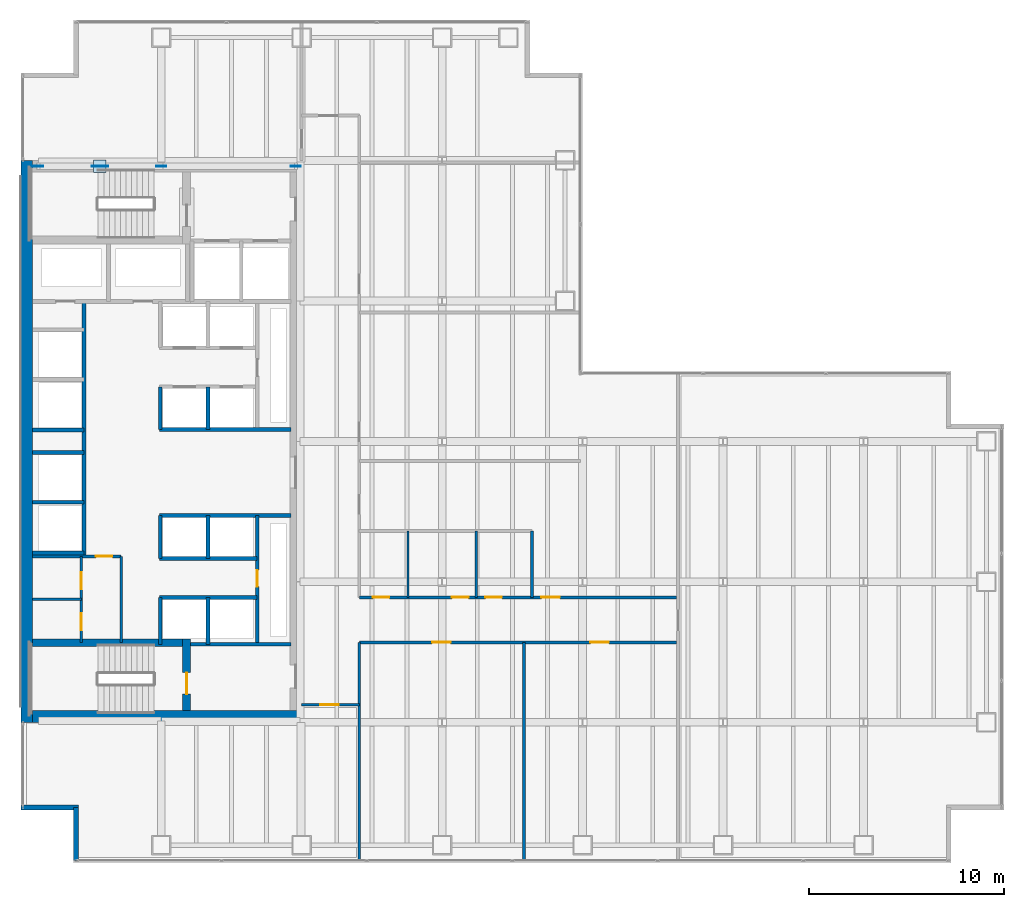
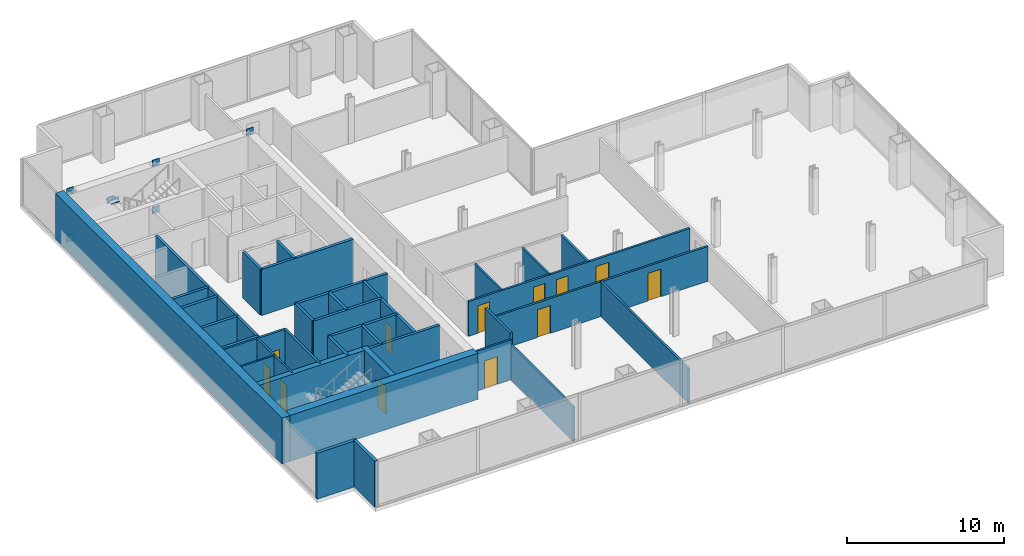
# One storey, part 20 of 25: 36 walls, 12 doors, 8 plates, 12 openings.
"""IFC4 building model written with IfcOpenShell, lengths in metres."""

from ifc_helpers import new_model, si_unit, direction, frame, frame_2d, origin, origin_2d, place, context, subcontext, project, spatial, rectangle, extrude, material, layer, layer_set, type_object, element, fill, save


model = new_model("IFC4")

# Units and contexts
model_context = context("Model", 3, precision=1e-05, world=origin(), true_north=direction((0.0, 1.0)))
body_context = subcontext(model_context, "Body", "Model", "MODEL_VIEW")
ifc_project = project(units=[si_unit("LENGTHUNIT", "METRE"), si_unit("AREAUNIT", "SQUARE_METRE"), si_unit("VOLUMEUNIT", "CUBIC_METRE"), si_unit("PLANEANGLEUNIT", "RADIAN"), si_unit("MASSUNIT", "GRAM", prefix="KILO")], contexts=[model_context])

# Site, building, storey
site_placement = place(None, origin())
site = spatial("IfcSite", under=ifc_project, at=site_placement, CompositionType="ELEMENT")
building_placement = place(site_placement, origin())
building = spatial("IfcBuilding", under=site, at=building_placement, Name="Cobrela Telecom Tower", CompositionType="ELEMENT")
storey_placement = place(building_placement, frame((0.0, 0.0, 61.949951171875)))
storey = spatial("IfcBuildingStorey", under=building, at=storey_placement, Name="L15", CompositionType="ELEMENT", Elevation=61.949951171875)

# Plates
ifc_material_1 = material(Name="Steel ASTM A572 Grade 50", Category="steel")
ifc_layer_1 = layer(ifc_material_1, 0.0419921875)
ifc_layer_set_1 = layer_set([ifc_layer_1], Name="Steel ASTM A572 Grade 50")
plate_type = type_object("IfcPlateType", Name="PLT-NODE-ND1", PredefinedType="USERDEFINED", material=ifc_layer_set_1)
for number, where, z_axis, x_axis, name in (
    (1, (0.89990234375, 35.699951171875, -0.294921875), (0.0, 0.0, 1.0), (1.0, 0.0, 0.0), "Steel node plate PLT-MBR-EXO-L15-N1-A-0"),
    (2, (7.199951171875, 35.699951171875, 3.35498046875), (0.0, 0.0, 1.0), (1.0, 0.0, 0.0), "Steel node plate PLT-MBR-EXO-L15-N1-A-1"),
    (3, (7.199951171875, 35.699951171875, -0.294921875), (0.0, 0.0, 1.0), (-1.0, 0.0, 0.0), "Steel node plate PLT-MBR-EXO-L15-N1-B1-0"),
    (4, (4.219482421875, 35.699951171875, 1.431640625), (0.0, 0.0, 1.0), (-1.0, 0.0, 0.0), "Steel node plate PLT-MBR-EXO-L15-N1-B1-1"),
    (5, (3.88037109375, 35.699951171875, 1.62841796875), (0.0, 0.0, 1.0), (-1.0, 0.0, 0.0), "Steel node plate PLT-MBR-EXO-L15-N1-B2-0"),
    (6, (0.89990234375, 35.699951171875, 3.35498046875), (0.0, 0.0, 1.0), (-1.0, 0.0, 0.0), "Steel node plate PLT-MBR-EXO-L15-N1-B2-1"),
):
    element("IfcPlate", number, at=place(storey_placement, frame(where, z_axis=z_axis, x_axis=x_axis)), inside=storey, type_object=plate_type, Name=name, ObjectType="GUSSET PLATE", PredefinedType="USERDEFINED", context=body_context, shape_type="SweptSolid", body=[
        extrude(rectangle(XDim=0.510009765625, YDim=0.044921875, at=origin_2d()), origin(), (0.0, 0.0, 1.0), 0.510009765625),
    ])
plate_1_placement = place(storey_placement, frame((4.050048828125, 35.699951171875, 1.7626953125), z_axis=(0.0, 0.0, 1.0), x_axis=(1.0, 0.0, 0.0)))
element("IfcPlate", 7, at=plate_1_placement, inside=storey, type_object=plate_type, Name="L15 Core Flange Steel X-Brace Central X-Crossing Gusset Plate", ObjectType="GUSSET PLATE", PredefinedType="USERDEFINED", context=body_context, shape_type="SweptSolid", body=[
    extrude(rectangle(XDim=0.64990234375, YDim=0.64990234375, at=origin_2d()), origin(), (0.0, 0.0, 1.0), 0.044921875),
])
plate_2_placement = place(storey_placement, frame((14.10009765625, 35.699951171875, 3.35498046875), z_axis=(0.0, 0.0, 1.0), x_axis=(1.0, 0.0, 0.0)))
element("IfcPlate", 8, at=plate_2_placement, inside=storey, type_object=plate_type, Name="Steel node plate PLT-MBR-EXO-L15-N2-1", ObjectType="GUSSET PLATE", PredefinedType="USERDEFINED", context=body_context, shape_type="SweptSolid", body=[
    extrude(rectangle(XDim=0.510009765625, YDim=0.044921875, at=origin_2d()), origin(), (0.0, 0.0, 1.0), 0.510009765625),
])

# Walls
ifc_material_2 = material(Name="Concrete C50/60", Category="concrete")
ifc_layer_2 = layer(ifc_material_2, 0.60009765625)
ifc_layer_set_2 = layer_set([ifc_layer_2], Name="Concrete C50/60")
wall_type_1 = type_object("IfcWallType", Name="WALL-CORE-C50-600", PredefinedType="SHEAR", material=ifc_layer_set_2)
wall_1_placement = place(storey_placement, frame((0.300048828125, 7.199951171875, 0.0), z_axis=(0.0, 0.0, 1.0), x_axis=(0.0, 1.0, 0.0)))
element("IfcWall", 9, at=wall_1_placement, inside=storey, type_object=wall_type_1, Name="L15 West Core Shear Wall", PredefinedType="SHEAR", context=body_context, shape_type="SweptSolid", body=[
    extrude(rectangle(XDim=28.800048828125, YDim=0.60009765625, at=frame_2d((14.39990234375, 0.0))), origin(), (0.0, 0.0, 1.0), 3.570068359375),
])
wall_2_placement = place(storey_placement, frame((0.60009765625, 7.5, 0.0), z_axis=(0.0, 0.0, 1.0), x_axis=(1.0, 0.0, 0.0)))
element("IfcWall", 10, at=wall_2_placement, inside=storey, type_object=wall_type_1, Name="L15 South Core Shear Wall", PredefinedType="SHEAR", context=body_context, shape_type="SweptSolid", body=[
    extrude(rectangle(XDim=13.7998046875, YDim=0.60009765625, at=frame_2d((6.89990234375, 0.0))), origin(), (0.0, 0.0, 1.0), 3.570068359375),
])
ifc_material_3 = material(Name="Concrete C40/50", Category="concrete")
ifc_layer_3 = layer(ifc_material_3, 0.239990234375)
ifc_layer_set_3 = layer_set([ifc_layer_3], Name="Concrete C40/50")
wall_type_2 = type_object("IfcWallType", Name="WALL-EXT-300", PredefinedType="STANDARD", material=ifc_layer_set_3)
wall_3_placement = place(storey_placement, frame((2.830078125, 0.1201171875, 0.0), z_axis=(0.0, 0.0, 1.0), x_axis=(0.0, 1.0, 0.0)))
element("IfcWall", 11, at=wall_3_placement, inside=storey, type_object=wall_type_2, Name="L15 Insulated Facade Wall 01", PredefinedType="STANDARD", context=body_context, shape_type="SweptSolid", body=[
    extrude(rectangle(XDim=2.7099609375, YDim=0.239990234375, at=frame_2d((1.35498046875, 0.0))), origin(), (0.0, 0.0, 1.0), 3.570068359375),
])
wall_4_placement = place(storey_placement, frame((2.949951171875, 2.830078125, 0.0), z_axis=(0.0, 0.0, 1.0), x_axis=(-1.0, 0.0, 0.0)))
element("IfcWall", 12, at=wall_4_placement, inside=storey, type_object=wall_type_2, Name="L15 Insulated Facade Wall 02", PredefinedType="STANDARD", context=body_context, shape_type="SweptSolid", body=[
    extrude(rectangle(XDim=2.949951171875, YDim=0.239990234375, at=frame_2d((1.47509765625, 0.0))), origin(), (0.0, 0.0, 1.0), 3.570068359375),
])
ifc_material_4 = material(Name="Fire-Rated Gypsum Plasterboard")
ifc_layer_4 = layer(ifc_material_4, 0.125)
ifc_layer_set_4 = layer_set([ifc_layer_4], Name="Fire-Rated Gypsum Plasterboard")
wall_type_3 = type_object("IfcWallType", Name="WALL-PART-125", PredefinedType="PARTITIONING", material=ifc_layer_set_4)
wall_5_placement = place(storey_placement, frame((0.60009765625, 13.5, 0.0), z_axis=(0.0, 0.0, 1.0), x_axis=(1.0, 0.0, 0.0)))
element("IfcWall", 13, at=wall_5_placement, inside=storey, type_object=wall_type_3, Name="L15 Interior Partition CW-FK3-H", PredefinedType="PARTITIONING", context=body_context, shape_type="SweptSolid", body=[
    extrude(rectangle(XDim=2.5, YDim=0.125, at=frame_2d((1.25, 0.0))), origin(), (0.0, 0.0, 1.0), 3.570068359375),
])

# Wall, openings, doors
wall_6_placement = place(storey_placement, frame((3.10009765625, 11.280029296875, 0.0), z_axis=(0.0, 0.0, 1.0), x_axis=(0.0, 1.0, 0.0)))
wall_6 = element("IfcWall", 14, at=wall_6_placement, inside=storey, type_object=wall_type_3, Name="L15 Interior Partition CW-FK3-V", PredefinedType="PARTITIONING", context=body_context, shape_type="SweptSolid", body=[
    extrude(rectangle(XDim=4.419921875, YDim=0.125, at=frame_2d((2.2099609375, 0.0))), origin(), (0.0, 0.0, 1.0), 3.570068359375),
])
opening_1_placement = place(wall_6_placement, frame((0.64990234375, 0.0, 0.0)))
opening_1 = element("IfcOpeningElement", 15, at=opening_1_placement, cuts=wall_6, Name="Opening DR-11", PredefinedType="OPENING", context=body_context, shape_type="SweptSolid", body=[
    extrude(rectangle(XDim=0.85009765625, YDim=2.14990234375, at=frame_2d((0.425048828125, 1.074951171875))), frame((0.0, 0.074462890625, 0.0), z_axis=(0.0, -1.0, 0.0), x_axis=(1.0, 0.0, 0.0)), (0.0, 0.0, 1.0), 0.14892578125),
])
opening_2_placement = place(wall_6_placement, frame((2.75, 0.0, 0.0)))
opening_2 = element("IfcOpeningElement", 16, at=opening_2_placement, cuts=wall_6, Name="Opening DR-11", PredefinedType="OPENING", context=body_context, shape_type="SweptSolid", body=[
    extrude(rectangle(XDim=0.85009765625, YDim=2.14990234375, at=frame_2d((0.425048828125, 1.074951171875))), frame((0.0, 0.074462890625, 0.0), z_axis=(0.0, -1.0, 0.0), x_axis=(1.0, 0.0, 0.0)), (0.0, 0.0, 1.0), 0.14892578125),
])
ifc_material_5 = material(Name="Solid Engineered Oak Timber", Category="wood")
door_type_1 = type_object("IfcDoorType", Name="DOOR-INT-850", OperationType="SINGLE_SWING_LEFT", PredefinedType="DOOR", material=ifc_material_5)
door_1_placement = place(opening_1_placement, origin())
door_1 = element("IfcDoor", 17, at=door_1_placement, inside=storey, type_object=door_type_1, Name="L15 Door DR-11", OperationType="SINGLE_SWING_LEFT", OverallHeight=2.14990234375, OverallWidth=0.85009765625, PredefinedType="DOOR", context=body_context, shape_type="SweptSolid", body=[
    extrude(rectangle(XDim=0.85009765625, YDim=2.14990234375, at=frame_2d((0.425048828125, 1.074951171875))), frame((0.0, 0.02490234375, 0.0), z_axis=(0.0, -1.0, 0.0), x_axis=(1.0, 0.0, 0.0)), (0.0, 0.0, 1.0), 0.050048828125),
])
fill(opening_1, door_1)
door_2_placement = place(opening_2_placement, origin())
door_2 = element("IfcDoor", 18, at=door_2_placement, inside=storey, type_object=door_type_1, Name="L15 Door DR-11", OperationType="SINGLE_SWING_RIGHT", OverallHeight=2.14990234375, OverallWidth=0.85009765625, PredefinedType="DOOR", context=body_context, shape_type="SweptSolid", body=[
    extrude(rectangle(XDim=0.85009765625, YDim=2.14990234375, at=frame_2d((0.425048828125, 1.074951171875))), frame((0.0, 0.02490234375, 0.0), z_axis=(0.0, -1.0, 0.0), x_axis=(1.0, 0.0, 0.0)), (0.0, 0.0, 1.0), 0.050048828125),
])
fill(opening_2, door_2)

# Walls
for number, where, z_axis, x_axis, name in (
    (19, (19.85009765625, 13.60009765625, 0.0), (0.0, 0.0, 1.0), (0.0, 1.0, 0.0), "L15 Interior Partition W-WCV-1"),
    (20, (23.35009765625, 13.60009765625, 0.0), (0.0, 0.0, 1.0), (0.0, 1.0, 0.0), "L15 Interior Partition W-WCV-2"),
):
    element("IfcWall", number, at=place(storey_placement, frame(where, z_axis=z_axis, x_axis=x_axis)), inside=storey, type_object=wall_type_3, Name=name, PredefinedType="PARTITIONING", context=body_context, shape_type="SweptSolid", body=[
        extrude(rectangle(XDim=3.39990234375, YDim=0.125, at=frame_2d((1.699951171875, 0.0))), origin(), (0.0, 0.0, 1.0), 2.698974609375),
    ])

# Wall, opening, door
ifc_layer_5 = layer(ifc_material_4, 0.14990234375)
ifc_layer_set_5 = layer_set([ifc_layer_5], Name="Fire-Rated Gypsum Plasterboard")
wall_type_4 = type_object("IfcWallType", Name="WALL-PART-150", PredefinedType="PARTITIONING", material=ifc_layer_set_5)
wall_7_placement = place(storey_placement, frame((0.60009765625, 15.699951171875, 0.0), z_axis=(0.0, 0.0, 1.0), x_axis=(1.0, 0.0, 0.0)))
wall_7 = element("IfcWall", 21, at=wall_7_placement, inside=storey, type_object=wall_type_4, Name="L15 Interior Partition CW-FLEX-N", PredefinedType="PARTITIONING", context=body_context, shape_type="SweptSolid", body=[
    extrude(rectangle(XDim=4.5498046875, YDim=0.14990234375, at=frame_2d((2.27490234375, 0.0))), origin(), (0.0, 0.0, 1.0), 3.570068359375),
])
opening_3_placement = place(wall_7_placement, frame((3.25, 0.0, 0.0)))
opening_3 = element("IfcOpeningElement", 22, at=opening_3_placement, cuts=wall_7, Name="Opening DR-11", PredefinedType="OPENING", context=body_context, shape_type="SweptSolid", body=[
    extrude(rectangle(XDim=0.85009765625, YDim=2.14990234375, at=frame_2d((0.425048828125, 1.074951171875))), frame((0.0, 0.0869140625, 0.0), z_axis=(0.0, -1.0, 0.0), x_axis=(1.0, 0.0, 0.0)), (0.0, 0.0, 1.0), 0.173828125),
])
door_3_placement = place(opening_3_placement, origin())
door_3 = element("IfcDoor", 23, at=door_3_placement, inside=storey, type_object=door_type_1, Name="L15 Door DR-11", OperationType="SINGLE_SWING_LEFT", OverallHeight=2.14990234375, OverallWidth=0.85009765625, PredefinedType="DOOR", context=body_context, shape_type="SweptSolid", body=[
    extrude(rectangle(XDim=0.85009765625, YDim=2.14990234375, at=frame_2d((0.425048828125, 1.074951171875))), frame((0.0, 0.02490234375, 0.0), z_axis=(0.0, -1.0, 0.0), x_axis=(1.0, 0.0, 0.0)), (0.0, 0.0, 1.0), 0.050048828125),
])
fill(opening_3, door_3)

# Wall
wall_8_placement = place(storey_placement, frame((5.14990234375, 11.280029296875, 0.0), z_axis=(0.0, 0.0, 1.0), x_axis=(0.0, 1.0, 0.0)))
element("IfcWall", 24, at=wall_8_placement, inside=storey, type_object=wall_type_4, Name="L15 Interior Partition CW-FLEX-E", PredefinedType="PARTITIONING", context=body_context, shape_type="SweptSolid", body=[
    extrude(rectangle(XDim=4.419921875, YDim=0.14990234375, at=frame_2d((2.2099609375, 0.0))), origin(), (0.0, 0.0, 1.0), 3.570068359375),
])

# Wall, opening, door
wall_9_placement = place(storey_placement, frame((14.39990234375, 8.10009765625, 0.0), z_axis=(0.0, 0.0, 1.0), x_axis=(1.0, 0.0, 0.0)))
wall_9 = element("IfcWall", 25, at=wall_9_placement, inside=storey, type_object=wall_type_4, Name="L15 Interior Partition W-C-S0", PredefinedType="PARTITIONING", context=body_context, shape_type="SweptSolid", body=[
    extrude(rectangle(XDim=2.9501953125, YDim=0.14990234375, at=frame_2d((1.47509765625, 0.0))), origin(), (0.0, 0.0, 1.0), 3.088134765625),
])
opening_4_placement = place(wall_9_placement, frame((0.949951171875, 0.0, 0.0)))
opening_4 = element("IfcOpeningElement", 26, at=opening_4_placement, cuts=wall_9, Name="Opening DR-67", PredefinedType="OPENING", context=body_context, shape_type="SweptSolid", body=[
    extrude(rectangle(XDim=0.949951171875, YDim=2.14990234375, at=frame_2d((0.47509765625, 1.074951171875))), frame((0.0, 0.0869140625, 0.0), z_axis=(0.0, -1.0, 0.0), x_axis=(1.0, 0.0, 0.0)), (0.0, 0.0, 1.0), 0.173828125),
])
door_type_2 = type_object("IfcDoorType", Name="DOOR-INT-950", OperationType="SINGLE_SWING_LEFT", PredefinedType="DOOR", material=ifc_material_5)
door_4_placement = place(opening_4_placement, origin())
door_4 = element("IfcDoor", 27, at=door_4_placement, inside=storey, type_object=door_type_2, Name="L15 Door DR-67", OperationType="SINGLE_SWING_RIGHT", OverallHeight=2.14990234375, OverallWidth=0.949951171875, PredefinedType="DOOR", context=body_context, shape_type="SweptSolid", body=[
    extrude(rectangle(XDim=0.949951171875, YDim=2.14990234375, at=frame_2d((0.47509765625, 1.074951171875))), frame((0.0, 0.02490234375, 0.0), z_axis=(0.0, -1.0, 0.0), x_axis=(1.0, 0.0, 0.0)), (0.0, 0.0, 1.0), 0.050048828125),
])
fill(opening_4, door_4)

# Wall
wall_10_placement = place(storey_placement, frame((17.35009765625, 8.10009765625, 0.0), z_axis=(0.0, 0.0, 1.0), x_axis=(0.0, 1.0, 0.0)))
element("IfcWall", 28, at=wall_10_placement, inside=storey, type_object=wall_type_4, Name="L15 Interior Partition W-C-E1", PredefinedType="PARTITIONING", context=body_context, shape_type="SweptSolid", body=[
    extrude(rectangle(XDim=3.199951171875, YDim=0.14990234375, at=frame_2d((1.60009765625, 0.0))), origin(), (0.0, 0.0, 1.0), 3.570068359375),
])

# Wall, openings, doors
wall_11_placement = place(storey_placement, frame((17.35009765625, 11.300048828125, 0.0), z_axis=(0.0, 0.0, 1.0), x_axis=(1.0, 0.0, 0.0)))
wall_11 = element("IfcWall", 29, at=wall_11_placement, inside=storey, type_object=wall_type_4, Name="L15 Interior Partition W-C-HS", PredefinedType="PARTITIONING", context=body_context, shape_type="SweptSolid", body=[
    extrude(rectangle(XDim=16.25, YDim=0.14990234375, at=frame_2d((8.125, 0.0))), origin(), (0.0, 0.0, 1.0), 2.698974609375),
])
opening_5_placement = place(wall_11_placement, frame((3.72998046875, 0.0, 0.0)))
opening_5 = element("IfcOpeningElement", 30, at=opening_5_placement, cuts=wall_11, Name="Opening DR-67", PredefinedType="OPENING", context=body_context, shape_type="SweptSolid", body=[
    extrude(rectangle(XDim=0.949951171875, YDim=2.14990234375, at=frame_2d((0.47509765625, 1.074951171875))), frame((0.0, 0.0869140625, 0.0), z_axis=(0.0, -1.0, 0.0), x_axis=(1.0, 0.0, 0.0)), (0.0, 0.0, 1.0), 0.173828125),
])
opening_6_placement = place(wall_11_placement, frame((11.85009765625, 0.0, 0.0)))
opening_6 = element("IfcOpeningElement", 31, at=opening_6_placement, cuts=wall_11, Name="Opening DR-67", PredefinedType="OPENING", context=body_context, shape_type="SweptSolid", body=[
    extrude(rectangle(XDim=0.949951171875, YDim=2.14990234375, at=frame_2d((0.47509765625, 1.074951171875))), frame((0.0, 0.0869140625, 0.0), z_axis=(0.0, -1.0, 0.0), x_axis=(1.0, 0.0, 0.0)), (0.0, 0.0, 1.0), 0.173828125),
])
door_5_placement = place(opening_5_placement, origin())
door_5 = element("IfcDoor", 32, at=door_5_placement, inside=storey, type_object=door_type_2, Name="L15 Door DR-67", OperationType="SINGLE_SWING_LEFT", OverallHeight=2.14990234375, OverallWidth=0.949951171875, PredefinedType="DOOR", context=body_context, shape_type="SweptSolid", body=[
    extrude(rectangle(XDim=0.949951171875, YDim=2.14990234375, at=frame_2d((0.47509765625, 1.074951171875))), frame((0.0, 0.02490234375, 0.0), z_axis=(0.0, -1.0, 0.0), x_axis=(1.0, 0.0, 0.0)), (0.0, 0.0, 1.0), 0.050048828125),
])
fill(opening_5, door_5)
door_6_placement = place(opening_6_placement, origin())
door_6 = element("IfcDoor", 33, at=door_6_placement, inside=storey, type_object=door_type_2, Name="L15 Door DR-67", OperationType="SINGLE_SWING_RIGHT", OverallHeight=2.14990234375, OverallWidth=0.949951171875, PredefinedType="DOOR", context=body_context, shape_type="SweptSolid", body=[
    extrude(rectangle(XDim=0.949951171875, YDim=2.14990234375, at=frame_2d((0.47509765625, 1.074951171875))), frame((0.0, 0.02490234375, 0.0), z_axis=(0.0, -1.0, 0.0), x_axis=(1.0, 0.0, 0.0)), (0.0, 0.0, 1.0), 0.050048828125),
])
fill(opening_6, door_6)

wall_12_placement = place(storey_placement, frame((17.35009765625, 13.60009765625, 0.0), z_axis=(0.0, 0.0, 1.0), x_axis=(1.0, 0.0, 0.0)))
wall_12 = element("IfcWall", 34, at=wall_12_placement, inside=storey, type_object=wall_type_4, Name="L15 Interior Partition W-C-HN", PredefinedType="PARTITIONING", context=body_context, shape_type="SweptSolid", body=[
    extrude(rectangle(XDim=16.25, YDim=0.14990234375, at=frame_2d((8.125, 0.0))), origin(), (0.0, 0.0, 1.0), 2.698974609375),
])
opening_7_placement = place(wall_12_placement, frame((0.699951171875, 0.0, 0.0)))
opening_7 = element("IfcOpeningElement", 35, at=opening_7_placement, cuts=wall_12, Name="Opening DR-11", PredefinedType="OPENING", context=body_context, shape_type="SweptSolid", body=[
    extrude(rectangle(XDim=0.85009765625, YDim=2.14990234375, at=frame_2d((0.425048828125, 1.074951171875))), frame((0.0, 0.0869140625, 0.0), z_axis=(0.0, -1.0, 0.0), x_axis=(1.0, 0.0, 0.0)), (0.0, 0.0, 1.0), 0.173828125),
])
opening_8_placement = place(wall_12_placement, frame((4.75, 0.0, 0.0)))
opening_8 = element("IfcOpeningElement", 36, at=opening_8_placement, cuts=wall_12, Name="Opening DR-11", PredefinedType="OPENING", context=body_context, shape_type="SweptSolid", body=[
    extrude(rectangle(XDim=0.85009765625, YDim=2.14990234375, at=frame_2d((0.425048828125, 1.074951171875))), frame((0.0, 0.0869140625, 0.0), z_axis=(0.0, -1.0, 0.0), x_axis=(1.0, 0.0, 0.0)), (0.0, 0.0, 1.0), 0.173828125),
])
opening_9_placement = place(wall_12_placement, frame((6.4599609375, 0.0, 0.0)))
opening_9 = element("IfcOpeningElement", 37, at=opening_9_placement, cuts=wall_12, Name="Opening DR-11", PredefinedType="OPENING", context=body_context, shape_type="SweptSolid", body=[
    extrude(rectangle(XDim=0.85009765625, YDim=2.14990234375, at=frame_2d((0.425048828125, 1.074951171875))), frame((0.0, 0.0869140625, 0.0), z_axis=(0.0, -1.0, 0.0), x_axis=(1.0, 0.0, 0.0)), (0.0, 0.0, 1.0), 0.173828125),
])
opening_10_placement = place(wall_12_placement, frame((9.340087890625, 0.0, 0.0)))
opening_10 = element("IfcOpeningElement", 38, at=opening_10_placement, cuts=wall_12, Name="Opening DR-67", PredefinedType="OPENING", context=body_context, shape_type="SweptSolid", body=[
    extrude(rectangle(XDim=0.949951171875, YDim=2.14990234375, at=frame_2d((0.47509765625, 1.074951171875))), frame((0.0, 0.0869140625, 0.0), z_axis=(0.0, -1.0, 0.0), x_axis=(1.0, 0.0, 0.0)), (0.0, 0.0, 1.0), 0.173828125),
])
door_7_placement = place(opening_7_placement, origin())
door_7 = element("IfcDoor", 39, at=door_7_placement, inside=storey, type_object=door_type_1, Name="L15 Door DR-11", OperationType="SINGLE_SWING_LEFT", OverallHeight=2.14990234375, OverallWidth=0.85009765625, PredefinedType="DOOR", context=body_context, shape_type="SweptSolid", body=[
    extrude(rectangle(XDim=0.85009765625, YDim=2.14990234375, at=frame_2d((0.425048828125, 1.074951171875))), frame((0.0, 0.02490234375, 0.0), z_axis=(0.0, -1.0, 0.0), x_axis=(1.0, 0.0, 0.0)), (0.0, 0.0, 1.0), 0.050048828125),
])
fill(opening_7, door_7)
door_8_placement = place(opening_8_placement, origin())
door_8 = element("IfcDoor", 40, at=door_8_placement, inside=storey, type_object=door_type_1, Name="L15 Door DR-11", OperationType="SINGLE_SWING_RIGHT", OverallHeight=2.14990234375, OverallWidth=0.85009765625, PredefinedType="DOOR", context=body_context, shape_type="SweptSolid", body=[
    extrude(rectangle(XDim=0.85009765625, YDim=2.14990234375, at=frame_2d((0.425048828125, 1.074951171875))), frame((0.0, 0.02490234375, 0.0), z_axis=(0.0, -1.0, 0.0), x_axis=(1.0, 0.0, 0.0)), (0.0, 0.0, 1.0), 0.050048828125),
])
fill(opening_8, door_8)
door_9_placement = place(opening_9_placement, origin())
door_9 = element("IfcDoor", 41, at=door_9_placement, inside=storey, type_object=door_type_1, Name="L15 Door DR-11", OperationType="SINGLE_SWING_LEFT", OverallHeight=2.14990234375, OverallWidth=0.85009765625, PredefinedType="DOOR", context=body_context, shape_type="SweptSolid", body=[
    extrude(rectangle(XDim=0.85009765625, YDim=2.14990234375, at=frame_2d((0.425048828125, 1.074951171875))), frame((0.0, 0.02490234375, 0.0), z_axis=(0.0, -1.0, 0.0), x_axis=(1.0, 0.0, 0.0)), (0.0, 0.0, 1.0), 0.050048828125),
])
fill(opening_9, door_9)
door_10_placement = place(opening_10_placement, origin())
door_10 = element("IfcDoor", 42, at=door_10_placement, inside=storey, type_object=door_type_2, Name="L15 Door DR-67", OperationType="SINGLE_SWING_RIGHT", OverallHeight=2.14990234375, OverallWidth=0.949951171875, PredefinedType="DOOR", context=body_context, shape_type="SweptSolid", body=[
    extrude(rectangle(XDim=0.949951171875, YDim=2.14990234375, at=frame_2d((0.47509765625, 1.074951171875))), frame((0.0, 0.02490234375, 0.0), z_axis=(0.0, -1.0, 0.0), x_axis=(1.0, 0.0, 0.0)), (0.0, 0.0, 1.0), 0.050048828125),
])
fill(opening_10, door_10)

# Walls
wall_13_placement = place(storey_placement, frame((26.199951171875, 13.60009765625, 0.0), z_axis=(0.0, 0.0, 1.0), x_axis=(0.0, 1.0, 0.0)))
element("IfcWall", 43, at=wall_13_placement, inside=storey, type_object=wall_type_4, Name="L15 Interior Partition W-WC-R", PredefinedType="PARTITIONING", context=body_context, shape_type="SweptSolid", body=[
    extrude(rectangle(XDim=3.39990234375, YDim=0.14990234375, at=frame_2d((1.699951171875, 0.0))), origin(), (0.0, 0.0, 1.0), 2.698974609375),
])
wall_14_placement = place(storey_placement, frame((17.35009765625, 0.1201171875, 0.0), z_axis=(0.0, 0.0, 1.0), x_axis=(0.0, 1.0, 0.0)))
element("IfcWall", 44, at=wall_14_placement, inside=storey, type_object=wall_type_4, Name="L15 Interior Partition W-SW-E", PredefinedType="PARTITIONING", context=body_context, shape_type="SweptSolid", body=[
    extrude(rectangle(XDim=7.97998046875, YDim=0.14990234375, at=frame_2d((3.989990234375, 0.0))), origin(), (0.0, 0.0, 1.0), 2.698974609375),
])
wall_15_placement = place(storey_placement, frame((25.800048828125, 0.1201171875, 0.0), z_axis=(0.0, 0.0, 1.0), x_axis=(0.0, 1.0, 0.0)))
element("IfcWall", 45, at=wall_15_placement, inside=storey, type_object=wall_type_4, Name="L15 Interior Partition W-SV-1", PredefinedType="PARTITIONING", context=body_context, shape_type="SweptSolid", body=[
    extrude(rectangle(XDim=11.179931640625, YDim=0.14990234375, at=frame_2d((5.58984375, 0.0))), origin(), (0.0, 0.0, 1.0), 2.698974609375),
])
ifc_layer_6 = layer(ifc_material_4, 0.199951171875)
ifc_layer_set_6 = layer_set([ifc_layer_6], Name="Fire-Rated Gypsum Plasterboard")
wall_type_5 = type_object("IfcWallType", Name="WALL-SHAFT-200", PredefinedType="PARTITIONING", material=ifc_layer_set_6)
wall_16_placement = place(storey_placement, frame((8.699951171875, 11.199951171875, 0.0), z_axis=(0.0, 0.0, 1.0), x_axis=(1.0, 0.0, 0.0)))
element("IfcWall", 46, at=wall_16_placement, inside=storey, type_object=wall_type_5, Name="L15 Shaft Enclosure CW-ST2L-N", PredefinedType="PARTITIONING", context=body_context, shape_type="SweptSolid", body=[
    extrude(rectangle(XDim=5.150146484375, YDim=0.199951171875, at=frame_2d((2.5751953125, 0.0))), origin(), (0.0, 0.0, 1.0), 3.570068359375),
])
wall_17_placement = place(storey_placement, frame((3.25, 15.699951171875, 0.0), z_axis=(0.0, 0.0, 1.0), x_axis=(0.0, 1.0, 0.0)))
element("IfcWall", 47, at=wall_17_placement, inside=storey, type_object=wall_type_5, Name="L15 Shaft Enclosure CW-PLH-E", PredefinedType="PARTITIONING", context=body_context, shape_type="SweptSolid", body=[
    extrude(rectangle(XDim=13.080078125, YDim=0.199951171875, at=frame_2d((6.5400390625, 0.0))), origin(), (0.0, 0.0, 1.0), 3.570068359375),
])
for number, where, z_axis, x_axis, name in (
    (48, (0.60009765625, 15.8798828125, 0.0), (0.0, 0.0, 1.0), (1.0, 0.0, 0.0), "L15 Shaft Enclosure CW-PLH-D9"),
    (49, (0.60009765625, 18.47998046875, 0.0), (0.0, 0.0, 1.0), (1.0, 0.0, 0.0), "L15 Shaft Enclosure CW-PLH-D10"),
    (50, (0.60009765625, 22.179931640625, 0.0), (0.0, 0.0, 1.0), (1.0, 0.0, 0.0), "L15 Shaft Enclosure CW-PLH-D11"),
    (51, (0.60009765625, 21.02001953125, 0.0), (0.0, 0.0, 1.0), (1.0, 0.0, 0.0), "L15 Shaft Enclosure CW-PLH-MID"),
):
    element("IfcWall", number, at=place(storey_placement, frame(where, z_axis=z_axis, x_axis=x_axis)), inside=storey, type_object=wall_type_5, Name=name, PredefinedType="PARTITIONING", context=body_context, shape_type="SweptSolid", body=[
        extrude(rectangle(XDim=2.64990234375, YDim=0.199951171875, at=frame_2d((1.324951171875, 0.0))), origin(), (0.0, 0.0, 1.0), 3.570068359375),
    ])
wall_18_placement = place(storey_placement, frame((7.10009765625, 22.199951171875, 0.0), z_axis=(0.0, 0.0, 1.0), x_axis=(1.0, 0.0, 0.0)))
element("IfcWall", 52, at=wall_18_placement, inside=storey, type_object=wall_type_5, Name="L15 Shaft Enclosure CW-PLL-B0", PredefinedType="PARTITIONING", context=body_context, shape_type="SweptSolid", body=[
    extrude(rectangle(XDim=6.75, YDim=0.199951171875, at=frame_2d((3.375, 0.0))), origin(), (0.0, 0.0, 1.0), 3.570068359375),
])
for number, where, z_axis, x_axis, name in (
    (53, (7.14990234375, 22.199951171875, 0.0), (0.0, 0.0, 1.0), (0.0, 1.0, 0.0), "L15 Shaft Enclosure CW-PLL-V1"),
    (54, (9.60009765625, 22.199951171875, 0.0), (0.0, 0.0, 1.0), (0.0, 1.0, 0.0), "L15 Shaft Enclosure CW-PLL-V2"),
):
    element("IfcWall", number, at=place(storey_placement, frame(where, z_axis=z_axis, x_axis=x_axis)), inside=storey, type_object=wall_type_5, Name=name, PredefinedType="PARTITIONING", context=body_context, shape_type="SweptSolid", body=[
        extrude(rectangle(XDim=2.199951171875, YDim=0.199951171875, at=frame_2d((1.10009765625, 0.0))), origin(), (0.0, 0.0, 1.0), 3.570068359375),
    ])
wall_19_placement = place(storey_placement, frame((7.10009765625, 17.800048828125, 0.0), z_axis=(0.0, 0.0, 1.0), x_axis=(1.0, 0.0, 0.0)))
element("IfcWall", 55, at=wall_19_placement, inside=storey, type_object=wall_type_5, Name="L15 Shaft Enclosure CW-PLM-T0", PredefinedType="PARTITIONING", context=body_context, shape_type="SweptSolid", body=[
    extrude(rectangle(XDim=6.75, YDim=0.199951171875, at=frame_2d((3.375, 0.0))), origin(), (0.0, 0.0, 1.0), 3.570068359375),
])
for number, where, z_axis, x_axis, name in (
    (56, (7.10009765625, 15.60009765625, 0.0), (0.0, 0.0, 1.0), (1.0, 0.0, 0.0), "L15 Shaft Enclosure CW-PLM-N"),
    (57, (7.10009765625, 13.60009765625, 0.0), (0.0, 0.0, 1.0), (1.0, 0.0, 0.0), "L15 Shaft Enclosure CW-PLM-S"),
):
    element("IfcWall", number, at=place(storey_placement, frame(where, z_axis=z_axis, x_axis=x_axis)), inside=storey, type_object=wall_type_5, Name=name, PredefinedType="PARTITIONING", context=body_context, shape_type="SweptSolid", body=[
        extrude(rectangle(XDim=5.02001953125, YDim=0.199951171875, at=frame_2d((2.510009765625, 0.0))), origin(), (0.0, 0.0, 1.0), 3.570068359375),
    ])
wall_20_placement = place(storey_placement, frame((7.14990234375, 15.60009765625, 0.0), z_axis=(0.0, 0.0, 1.0), x_axis=(0.0, 1.0, 0.0)))
element("IfcWall", 58, at=wall_20_placement, inside=storey, type_object=wall_type_5, Name="L15 Shaft Enclosure CW-PLM-V1", PredefinedType="PARTITIONING", context=body_context, shape_type="SweptSolid", body=[
    extrude(rectangle(XDim=2.199951171875, YDim=0.199951171875, at=frame_2d((1.10009765625, 0.0))), origin(), (0.0, 0.0, 1.0), 3.570068359375),
])
wall_21_placement = place(storey_placement, frame((7.14990234375, 11.199951171875, 0.0), z_axis=(0.0, 0.0, 1.0), x_axis=(0.0, 1.0, 0.0)))
element("IfcWall", 59, at=wall_21_placement, inside=storey, type_object=wall_type_5, Name="L15 Shaft Enclosure CW-PLM-V1B", PredefinedType="PARTITIONING", context=body_context, shape_type="SweptSolid", body=[
    extrude(rectangle(XDim=2.400146484375, YDim=0.199951171875, at=frame_2d((1.2001953125, 0.0))), origin(), (0.0, 0.0, 1.0), 3.570068359375),
])
wall_22_placement = place(storey_placement, frame((9.60009765625, 15.60009765625, 0.0), z_axis=(0.0, 0.0, 1.0), x_axis=(0.0, 1.0, 0.0)))
element("IfcWall", 60, at=wall_22_placement, inside=storey, type_object=wall_type_5, Name="L15 Shaft Enclosure CW-PLM-V2", PredefinedType="PARTITIONING", context=body_context, shape_type="SweptSolid", body=[
    extrude(rectangle(XDim=2.199951171875, YDim=0.199951171875, at=frame_2d((1.10009765625, 0.0))), origin(), (0.0, 0.0, 1.0), 3.570068359375),
])
wall_23_placement = place(storey_placement, frame((9.60009765625, 11.199951171875, 0.0), z_axis=(0.0, 0.0, 1.0), x_axis=(0.0, 1.0, 0.0)))
element("IfcWall", 61, at=wall_23_placement, inside=storey, type_object=wall_type_5, Name="L15 Shaft Enclosure CW-PLM-V2B", PredefinedType="PARTITIONING", context=body_context, shape_type="SweptSolid", body=[
    extrude(rectangle(XDim=2.400146484375, YDim=0.199951171875, at=frame_2d((1.2001953125, 0.0))), origin(), (0.0, 0.0, 1.0), 3.570068359375),
])

# Wall, opening, door
wall_24_placement = place(storey_placement, frame((12.1201171875, 11.199951171875, 0.0), z_axis=(0.0, 0.0, 1.0), x_axis=(0.0, 1.0, 0.0)))
wall_24 = element("IfcWall", 62, at=wall_24_placement, inside=storey, type_object=wall_type_5, Name="L15 Shaft Enclosure CW-PLM-V3", PredefinedType="PARTITIONING", context=body_context, shape_type="SweptSolid", body=[
    extrude(rectangle(XDim=6.60009765625, YDim=0.199951171875, at=frame_2d((3.300048828125, 0.0))), origin(), (0.0, 0.0, 1.0), 3.570068359375),
])
opening_11_placement = place(wall_24_placement, frame((2.949951171875, 0.0, 0.0)))
opening_11 = element("IfcOpeningElement", 63, at=opening_11_placement, cuts=wall_24, Name="Opening DR-11", PredefinedType="OPENING", context=body_context, shape_type="SweptSolid", body=[
    extrude(rectangle(XDim=0.85009765625, YDim=2.14990234375, at=frame_2d((0.425048828125, 1.074951171875))), frame((0.0, 0.11181640625, 0.0), z_axis=(0.0, -1.0, 0.0), x_axis=(1.0, 0.0, 0.0)), (0.0, 0.0, 1.0), 0.223876953125),
])
door_11_placement = place(opening_11_placement, origin())
door_11 = element("IfcDoor", 64, at=door_11_placement, inside=storey, type_object=door_type_1, Name="L15 Door DR-11", OperationType="SINGLE_SWING_RIGHT", OverallHeight=2.14990234375, OverallWidth=0.85009765625, PredefinedType="DOOR", context=body_context, shape_type="SweptSolid", body=[
    extrude(rectangle(XDim=0.85009765625, YDim=2.14990234375, at=frame_2d((0.425048828125, 1.074951171875))), frame((0.0, 0.02490234375, 0.0), z_axis=(0.0, -1.0, 0.0), x_axis=(1.0, 0.0, 0.0)), (0.0, 0.0, 1.0), 0.050048828125),
])
fill(opening_11, door_11)

# Wall
ifc_layer_7 = layer(ifc_material_3, 0.39990234375)
ifc_layer_set_7 = layer_set([ifc_layer_7], Name="Concrete C40/50")
wall_type_6 = type_object("IfcWallType", Name="WALL-SHAFT-C40-400", PredefinedType="SHEAR", material=ifc_layer_set_7)
wall_25_placement = place(storey_placement, frame((0.60009765625, 11.280029296875, 0.0), z_axis=(0.0, 0.0, 1.0), x_axis=(1.0, 0.0, 0.0)))
element("IfcWall", 65, at=wall_25_placement, inside=storey, type_object=wall_type_6, Name="L15 South Stair Shear Wall", PredefinedType="SHEAR", context=body_context, shape_type="SweptSolid", body=[
    extrude(rectangle(XDim=7.699951171875, YDim=0.39990234375, at=frame_2d((3.85009765625, 0.0))), origin(), (0.0, 0.0, 1.0), 3.570068359375),
])

# Wall, opening, door
wall_26_placement = place(storey_placement, frame((8.5, 7.800048828125, 0.0), z_axis=(0.0, 0.0, 1.0), x_axis=(0.0, 1.0, 0.0)))
wall_26 = element("IfcWall", 66, at=wall_26_placement, inside=storey, type_object=wall_type_6, Name="L15 South Stair Lobby Shear Wall", PredefinedType="SHEAR", context=body_context, shape_type="SweptSolid", body=[
    extrude(rectangle(XDim=3.679931640625, YDim=0.39990234375, at=frame_2d((1.83984375, 0.0))), origin(), (0.0, 0.0, 1.0), 3.570068359375),
])
opening_12_placement = place(wall_26_placement, frame((0.85009765625, 0.0, 0.0)))
opening_12 = element("IfcOpeningElement", 67, at=opening_12_placement, cuts=wall_26, Name="Opening FD-90", PredefinedType="OPENING", context=body_context, shape_type="SweptSolid", body=[
    extrude(rectangle(XDim=1.10009765625, YDim=2.14990234375, at=frame_2d((0.550048828125, 1.074951171875))), frame((0.0, 0.2119140625, 0.0), z_axis=(0.0, -1.0, 0.0), x_axis=(1.0, 0.0, 0.0)), (0.0, 0.0, 1.0), 0.423828125),
])
ifc_material_6 = material(Name="Steel ASTM A36", Category="steel")
door_type_3 = type_object("IfcDoorType", Name="DOOR-FD90-1100", OperationType="SINGLE_SWING_LEFT", PredefinedType="DOOR", material=ifc_material_6)
door_12_placement = place(opening_12_placement, origin())
door_12 = element("IfcDoor", 68, at=door_12_placement, inside=storey, type_object=door_type_3, Name="L15 Door FD-90", OperationType="SINGLE_SWING_LEFT", OverallHeight=2.14990234375, OverallWidth=1.10009765625, PredefinedType="DOOR", context=body_context, shape_type="SweptSolid", body=[
    extrude(rectangle(XDim=1.10009765625, YDim=2.14990234375, at=frame_2d((0.550048828125, 1.074951171875))), frame((0.0, 0.02490234375, 0.0), z_axis=(0.0, -1.0, 0.0), x_axis=(1.0, 0.0, 0.0)), (0.0, 0.0, 1.0), 0.050048828125),
])
fill(opening_12, door_12)

save(model, "model.ifc")
